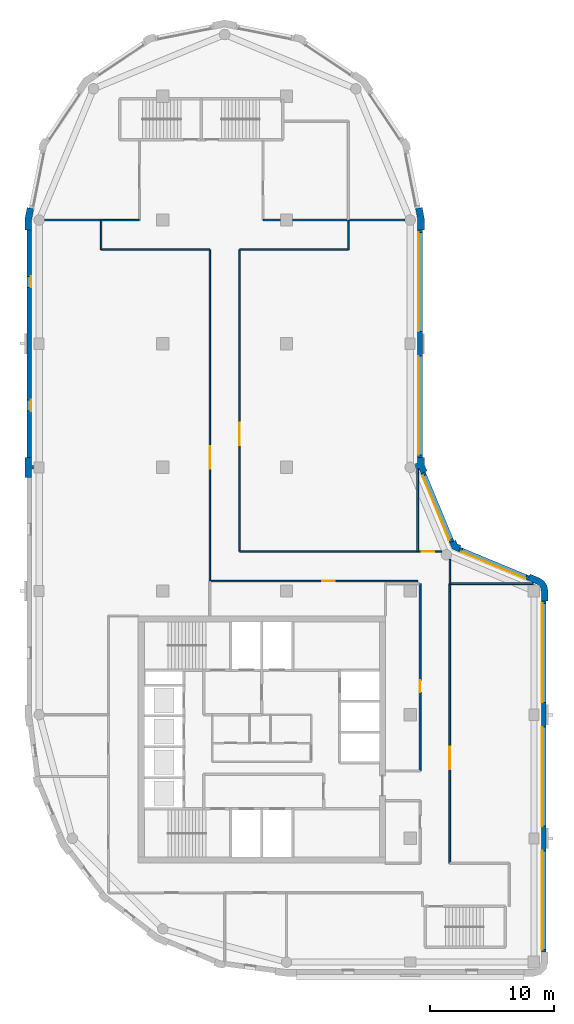
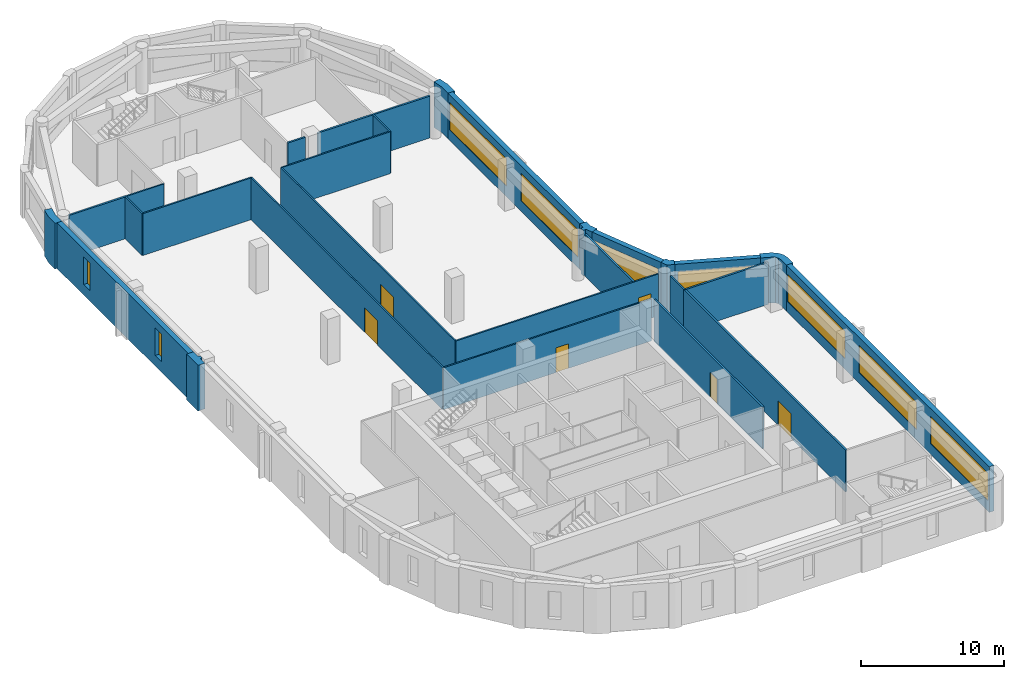
# One storey, part 4 of 8: 28 walls, 9 windows, 6 doors, 15 openings.
"""IFC4 building model written with IfcOpenShell, lengths in metres."""

import ifcopenshell
import ifcopenshell.guid

model = None  # the IFC model being written
_history = None  # IfcOwnerHistory: only IFC2X3 demands one
_inside = {}  # id of a spatial element -> (the spatial element, [elements in it])
_under = {}  # id of a project, library or spatial element -> (it, [spatial elements below it])
_declared = {}  # id of a project -> (the project, [libraries it declares])
_typed = {}  # id of a type object -> (the type object, [elements of that type])
_made_of = {}  # id of a material, layer set ... -> (it, [elements and type objects made of it])


def new_model(schema):
    """Start an empty IFC model of exactly this schema.

    Asked for "IFC4X3", IfcOpenShell would pick the latest addendum, in which some entities
    have other attributes; the version numbers below select the first issue.
    IFC2X3 requires an IfcOwnerHistory on every rooted entity: one is made here for all.
    """
    global model, _history
    if schema == "IFC4X3":
        model = ifcopenshell.file(schema_version=(4, 3, 0, 0))
    else:
        model = ifcopenshell.file(schema=schema)
    _inside.clear()
    _under.clear()
    _declared.clear()
    _typed.clear()
    _made_of.clear()
    _history = None
    if model.schema == "IFC2X3":
        org = make("IfcOrganization", Name="unknown")
        user = make(
            "IfcPersonAndOrganization",
            ThePerson=make("IfcPerson", FamilyName="unknown"),
            TheOrganization=org,
        )
        app = make(
            "IfcApplication",
            ApplicationDeveloper=org,
            Version="unknown",
            ApplicationFullName="unknown",
            ApplicationIdentifier="unknown",
        )
        _history = make(
            "IfcOwnerHistory",
            OwningUser=user,
            OwningApplication=app,
            ChangeAction="ADDED",
            CreationDate=0,
        )
    return model


def make(cls, **values):
    """One entity of the class cls with the attributes given. An attribute that is None is left unset."""
    return model.create_entity(
        cls, **{name: value for name, value in values.items() if value is not None}
    )


def rooted(cls, **values):
    """An entity with a GlobalId (a new one), such as an element, a storey or a relation."""
    return make(cls, GlobalId=ifcopenshell.guid.new(), OwnerHistory=_history, **values)


def si_unit(unit_type, name, prefix=None):
    """IfcSIUnit, for example si_unit("LENGTHUNIT", "METRE", prefix="MILLI")."""
    return make("IfcSIUnit", UnitType=unit_type, Prefix=prefix, Name=name)


def assignment(units):
    """IfcUnitAssignment: the units of a project."""
    return None if units is None else make("IfcUnitAssignment", Units=units)


def point(xyz):
    """IfcCartesianPoint."""
    return None if xyz is None else make("IfcCartesianPoint", Coordinates=xyz)


def direction(xyz):
    """IfcDirection."""
    return None if xyz is None else make("IfcDirection", DirectionRatios=xyz)


def frame(location, z_axis=None, x_axis=None):
    """IfcAxis2Placement3D, a coordinate frame: its origin and axes. An axis left out is left unset."""
    return make(
        "IfcAxis2Placement3D",
        Location=point(location),
        Axis=direction(z_axis),
        RefDirection=direction(x_axis),
    )


def frame_2d(location, x_axis=None):
    """IfcAxis2Placement2D, a coordinate frame in the plane: its origin and x axis."""
    return make(
        "IfcAxis2Placement2D", Location=point(location), RefDirection=direction(x_axis)
    )


def origin():
    """The frame at (0, 0, 0) with its axes left unset."""
    return frame((0.0, 0.0, 0.0))


def place(relative_to, where):
    """IfcLocalPlacement: puts the frame where relative to a parent placement (None: the world)."""
    return make(
        "IfcLocalPlacement", PlacementRelTo=relative_to, RelativePlacement=where
    )


def context(
    kind, dimensions, precision=None, world=None, true_north=None, identifier=None
):
    """IfcGeometricRepresentationContext, for example the 3D "Model" context."""
    return make(
        "IfcGeometricRepresentationContext",
        ContextIdentifier=identifier,
        ContextType=kind,
        CoordinateSpaceDimension=dimensions,
        Precision=precision,
        WorldCoordinateSystem=world,
        TrueNorth=true_north,
    )


def subcontext(parent, identifier, kind, view, scale=None):
    """IfcGeometricRepresentationSubContext, for example "Body" below "Model"."""
    return make(
        "IfcGeometricRepresentationSubContext",
        ContextIdentifier=identifier,
        ContextType=kind,
        ParentContext=parent,
        TargetScale=scale,
        TargetView=view,
    )


def project(units=None, contexts=None):
    """IfcProject with its units and contexts."""
    return rooted(
        "IfcProject",
        Name="project",
        RepresentationContexts=contexts,
        UnitsInContext=assignment(units),
    )


def spatial(cls, under=None, at=None, **own):
    """A site, building, storey or space (cls), placed at a placement, below another one or the project."""
    s = rooted(cls, ObjectPlacement=at, **own)
    if under is not None:
        _under.setdefault(under.id(), (under, []))[1].append(s)
    return s


def polyline(points):
    """IfcPolyline through the points."""
    return make("IfcPolyline", Points=[point(p) for p in points])


def profile(cls, at=None, kind="AREA", **sizes):
    """A parametric profile (cls). Its sizes go by their IFC names, for example OverallWidth=200.0."""
    return make(cls, ProfileType=kind, Position=at, **sizes)


def rectangle(**sizes):
    """IfcRectangleProfileDef."""
    return profile("IfcRectangleProfileDef", **sizes)


def outline(outer, holes=None, kind="AREA"):
    """IfcArbitraryClosedProfileDef: a profile drawn as a closed curve; with holes, ...WithVoids."""
    if holes is None:
        return make("IfcArbitraryClosedProfileDef", ProfileType=kind, OuterCurve=outer)
    return make(
        "IfcArbitraryProfileDefWithVoids",
        ProfileType=kind,
        OuterCurve=outer,
        InnerCurves=holes,
    )


def extrude(swept, where, along, depth):
    """IfcExtrudedAreaSolid: the profile swept, set in the frame where, extruded along a direction by depth."""
    return make(
        "IfcExtrudedAreaSolid",
        SweptArea=swept,
        Position=where,
        ExtrudedDirection=direction(along),
        Depth=depth,
    )


def shape(context_of_items, identifier, shape_type, items):
    """IfcShapeRepresentation: the items that make up one representation, for example the "Body"."""
    return make(
        "IfcShapeRepresentation",
        ContextOfItems=context_of_items,
        RepresentationIdentifier=identifier,
        RepresentationType=shape_type,
        Items=items,
    )


def material(Name=None, Category=None):
    """IfcMaterial."""
    return make("IfcMaterial", Name=Name, Category=Category)


def layer(
    of_material, thickness, ventilated=None, Name=None, Category=None, Priority=None
):
    """IfcMaterialLayer: one layer of a wall or slab, of a material (None: an air gap)."""
    return make(
        "IfcMaterialLayer",
        Material=of_material,
        LayerThickness=thickness,
        IsVentilated=ventilated,
        Name=Name,
        Category=Category,
        Priority=Priority,
    )


def layer_set(layers, Name=None):
    """IfcMaterialLayerSet."""
    return make("IfcMaterialLayerSet", MaterialLayers=layers, LayerSetName=Name)


def made_of(thing, what):
    """Note that an element or type object is made of a material, layer set ...; save() writes the relation."""
    if what is not None:
        _made_of.setdefault(what.id(), (what, []))[1].append(thing)
    return thing


def type_object(cls, material=None, **own):
    """A type object (cls), such as IfcWallType, which elements share."""
    return made_of(rooted(cls, **own), material)


def element(
    cls,
    number,
    at=None,
    inside=None,
    cuts=None,
    type_object=None,
    material=None,
    context=None,
    identifier="Body",
    shape_type=None,
    held_by="IfcProductDefinitionShape",
    body=None,
    shapes=None,
    **own,
):
    """One element of the class cls, such as IfcWall. Its Tag is "e" and its number.

    at: its placement. inside: the storey or other place that contains it. cuts: it is an
    opening in that element (IfcRelVoidsElement). A single representation is given by context,
    identifier, shape_type and body (its items); several are given by shapes. held_by: the class
    of the entity that holds the representations. save() writes the other relations.
    """
    e = rooted(cls, Tag="e%d" % number, ObjectPlacement=at, **own)
    if body is not None:
        shapes = [shape(context, identifier, shape_type, body)]
    if shapes is not None:
        e.Representation = make(held_by, Representations=shapes)
    if inside is not None:
        _inside.setdefault(inside.id(), (inside, []))[1].append(e)
    if cuts is not None:
        rooted(
            "IfcRelVoidsElement", RelatingBuildingElement=cuts, RelatedOpeningElement=e
        )
    if type_object is not None:
        _typed.setdefault(type_object.id(), (type_object, []))[1].append(e)
    return made_of(e, material)


def fill(opening, filler):
    """IfcRelFillsElement: the door or window that sits in an opening."""
    return rooted(
        "IfcRelFillsElement",
        RelatingOpeningElement=opening,
        RelatedBuildingElement=filler,
    )


def aggregate(whole, parts):
    """IfcRelAggregates: a whole, such as a stair, and the parts it consists of."""
    return rooted("IfcRelAggregates", RelatingObject=whole, RelatedObjects=parts)


def save(model, path):
    """Write the relations noted so far, then the file.

    IfcRelAggregates (storeys below a building ...), IfcRelContainedInSpatialStructure (elements
    in a storey), IfcRelDefinesByType, IfcRelAssociatesMaterial and IfcRelDeclares: one each for
    every whole, place, type object, material and project.
    """
    for whole, parts in _under.values():
        aggregate(whole, parts)
    for where, things in _inside.values():
        rooted(
            "IfcRelContainedInSpatialStructure",
            RelatedElements=things,
            RelatingStructure=where,
        )
    for kind, things in _typed.values():
        rooted("IfcRelDefinesByType", RelatedObjects=things, RelatingType=kind)
    for what, things in _made_of.values():
        rooted("IfcRelAssociatesMaterial", RelatedObjects=things, RelatingMaterial=what)
    for by, libraries in _declared.values():
        rooted("IfcRelDeclares", RelatingContext=by, RelatedDefinitions=libraries)
    model.write(path)


model = new_model("IFC4")

# Units and contexts
model_context = context("Model", 3, precision=1e-05, world=origin(), true_north=direction((0.0, 1.0)))
body_context = subcontext(model_context, "Body", "Model", "MODEL_VIEW")
ifc_project = project(units=[si_unit("LENGTHUNIT", "METRE"), si_unit("AREAUNIT", "SQUARE_METRE"), si_unit("VOLUMEUNIT", "CUBIC_METRE"), si_unit("PLANEANGLEUNIT", "RADIAN"), si_unit("MASSUNIT", "GRAM", prefix="KILO")], contexts=[model_context])

# Site, building, storey
site_placement = place(None, origin())
site = spatial("IfcSite", under=ifc_project, at=site_placement, CompositionType="ELEMENT")
building_placement = place(site_placement, origin())
building = spatial("IfcBuilding", under=site, at=building_placement, Name="Qaws Garden Tower", CompositionType="ELEMENT")
storey_placement = place(building_placement, frame((0.0, 0.0, 282.60009765625)))
storey = spatial("IfcBuildingStorey", under=building, at=storey_placement, Name="L68", CompositionType="ELEMENT", Elevation=282.60009765625)

# Wall
ifc_material_1 = material(Name="Clay facing brick masonry", Category="masonry")
ifc_layer_1 = layer(ifc_material_1, 0.550048828125)
ifc_layer_set_1 = layer_set([ifc_layer_1], Name="Clay facing brick masonry")
wall_type_1 = type_object("IfcWallType", Name="Brick corner pier 550 x 2400", PredefinedType="SOLIDWALL", material=ifc_layer_set_1)
placement = place(storey_placement, origin())
element("IfcWall", 1, at=placement, inside=storey, type_object=wall_type_1, Name="E-L68-pier-05", PredefinedType="SOLIDWALL", context=body_context, shape_type="SweptSolid", body=[
    extrude(outline(polyline([(41.0, 29.199951171875), (41.14990234375, 29.199951171875), (41.14990234375, 30.0), (41.0625, 30.440185546875), (40.813232421875, 30.813232421875), (40.440185546875, 31.0625), (39.700927734375, 31.36865234375), (39.6435546875, 31.22998046875), (39.490478515625, 30.860595703125), (40.2294921875, 30.554443359375), (40.42431640625, 30.42431640625), (40.554443359375, 30.2294921875), (40.60009765625, 30.0), (40.60009765625, 29.199951171875), (41.0, 29.199951171875)])), origin(), (0.0, 0.0, 1.0), 3.89990234375),
])

# Wall, openings, windows
ifc_material_2 = material(Name="Clay facing brick masonry", Category="masonry")
ifc_layer_2 = layer(ifc_material_2, 0.39990234375)
ifc_layer_set_2 = layer_set([ifc_layer_2], Name="Clay facing brick masonry")
wall_type_2 = type_object("IfcWallType", Name="Brick infill wall 400", PredefinedType="SOLIDWALL", material=ifc_layer_set_2)
wall_2_placement = place(storey_placement, frame((40.800048828125, 0.800048828125, 0.0), z_axis=(0.0, 0.0, 1.0), x_axis=(0.0, 1.0, 0.0)))
wall_2 = element("IfcWall", 2, at=wall_2_placement, inside=storey, type_object=wall_type_2, Name="E-L68-infill-02", PredefinedType="SOLIDWALL", context=body_context, shape_type="SweptSolid", body=[
    extrude(rectangle(XDim=28.39990234375, YDim=0.39990234375, at=frame_2d((14.199951171875, 0.0))), origin(), (0.0, 0.0, 1.0), 3.89990234375),
])
opening_1_placement = place(wall_2_placement, frame((0.199951171875, 0.0, 0.89990234375)))
opening_1 = element("IfcOpeningElement", 3, at=opening_1_placement, cuts=wall_2, Name="Opening W01", PredefinedType="OPENING", context=body_context, shape_type="SweptSolid", body=[
    extrude(rectangle(XDim=8.0, YDim=2.35009765625, at=frame_2d((4.0, 1.175048828125))), frame((0.0, 0.2099609375, 0.0), z_axis=(0.0, -1.0, 0.0), x_axis=(1.0, 0.0, 0.0)), (0.0, 0.0, 1.0), 0.419921875),
])
opening_2_placement = place(wall_2_placement, frame((10.199951171875, 0.0, 0.89990234375)))
opening_2 = element("IfcOpeningElement", 4, at=opening_2_placement, cuts=wall_2, Name="Opening W01", PredefinedType="OPENING", context=body_context, shape_type="SweptSolid", body=[
    extrude(rectangle(XDim=8.0, YDim=2.35009765625, at=frame_2d((4.0, 1.175048828125))), frame((0.0, 0.2099609375, 0.0), z_axis=(0.0, -1.0, 0.0), x_axis=(1.0, 0.0, 0.0)), (0.0, 0.0, 1.0), 0.419921875),
])
opening_3_placement = place(wall_2_placement, frame((20.199951171875, 0.0, 0.89990234375)))
opening_3 = element("IfcOpeningElement", 5, at=opening_3_placement, cuts=wall_2, Name="Opening W01", PredefinedType="OPENING", context=body_context, shape_type="SweptSolid", body=[
    extrude(rectangle(XDim=8.0, YDim=2.35009765625, at=frame_2d((4.0, 1.175048828125))), frame((0.0, 0.2099609375, 0.0), z_axis=(0.0, -1.0, 0.0), x_axis=(1.0, 0.0, 0.0)), (0.0, 0.0, 1.0), 0.419921875),
])
ifc_material_3 = material(Name="Aluminium framed window, clear glazing", Category="aluminium")
window_type_1 = type_object("IfcWindowType", Name="Ribbon window 8000 x 2350", PartitioningType="DOUBLE_PANEL_VERTICAL", PredefinedType="WINDOW", material=ifc_material_3)
window_1_placement = place(opening_1_placement, origin())
window_1 = element("IfcWindow", 6, at=window_1_placement, inside=storey, type_object=window_type_1, Name="E-L68-window-02-0", OverallHeight=2.35009765625, OverallWidth=8.0, PartitioningType="SINGLE_PANEL", PredefinedType="WINDOW", context=body_context, shape_type="SweptSolid", body=[
    extrude(rectangle(XDim=8.0, YDim=2.35009765625, at=frame_2d((4.0, 1.175048828125))), frame((0.0, 0.159912109375, 0.0), z_axis=(0.0, -1.0, 0.0), x_axis=(1.0, 0.0, 0.0)), (0.0, 0.0, 1.0), 0.06005859375),
])
fill(opening_1, window_1)
window_2_placement = place(opening_2_placement, origin())
window_2 = element("IfcWindow", 7, at=window_2_placement, inside=storey, type_object=window_type_1, Name="E-L68-window-03-0", OverallHeight=2.35009765625, OverallWidth=8.0, PartitioningType="SINGLE_PANEL", PredefinedType="WINDOW", context=body_context, shape_type="SweptSolid", body=[
    extrude(rectangle(XDim=8.0, YDim=2.35009765625, at=frame_2d((4.0, 1.175048828125))), frame((0.0, 0.159912109375, 0.0), z_axis=(0.0, -1.0, 0.0), x_axis=(1.0, 0.0, 0.0)), (0.0, 0.0, 1.0), 0.06005859375),
])
fill(opening_2, window_2)
window_3_placement = place(opening_3_placement, origin())
window_3 = element("IfcWindow", 8, at=window_3_placement, inside=storey, type_object=window_type_1, Name="E-L68-window-04-0", OverallHeight=2.35009765625, OverallWidth=8.0, PartitioningType="SINGLE_PANEL", PredefinedType="WINDOW", context=body_context, shape_type="SweptSolid", body=[
    extrude(rectangle(XDim=8.0, YDim=2.35009765625, at=frame_2d((4.0, 1.175048828125))), frame((0.0, 0.159912109375, 0.0), z_axis=(0.0, -1.0, 0.0), x_axis=(1.0, 0.0, 0.0)), (0.0, 0.0, 1.0), 0.06005859375),
])
fill(opening_3, window_3)

# Wall, opening, window
wall_3_placement = place(storey_placement, frame((39.56689453125, 31.04541015625, 0.0), z_axis=(0.0, 0.0, 1.0), x_axis=(-0.923891000409, 0.382655745237, 0.0)))
wall_3 = element("IfcWall", 9, at=wall_3_placement, inside=storey, type_object=wall_type_2, Name="E-L68-infill-05", PredefinedType="SOLIDWALL", context=body_context, shape_type="SweptSolid", body=[
    extrude(rectangle(XDim=6.053466796875, YDim=0.39990234375, at=frame_2d((3.02685546875, 0.0))), origin(), (0.0, 0.0, 1.0), 3.89990234375),
])
opening_4_placement = place(wall_3_placement, frame((0.226806640625, 0.0, 0.89990234375)))
opening_4 = element("IfcOpeningElement", 10, at=opening_4_placement, cuts=wall_3, Name="Opening W04", PredefinedType="OPENING", context=body_context, shape_type="SweptSolid", body=[
    extrude(rectangle(XDim=5.60009765625, YDim=2.35009765625, at=frame_2d((2.800048828125, 1.175048828125))), frame((0.0, 0.2099609375, 0.0), z_axis=(0.0, -1.0, 0.0), x_axis=(1.0, 0.0, 0.0)), (0.0, 0.0, 1.0), 0.419921875),
])
ifc_material_4 = material(Name="Aluminium framed window, clear glazing", Category="aluminium")
window_type_2 = type_object("IfcWindowType", Name="Ribbon window 5600 x 2350", PartitioningType="DOUBLE_PANEL_VERTICAL", PredefinedType="WINDOW", material=ifc_material_4)
window_4_placement = place(opening_4_placement, origin())
window_4 = element("IfcWindow", 11, at=window_4_placement, inside=storey, type_object=window_type_2, Name="E-L68-window-05-0", OverallHeight=2.35009765625, OverallWidth=5.60009765625, PartitioningType="SINGLE_PANEL", PredefinedType="WINDOW", context=body_context, shape_type="SweptSolid", body=[
    extrude(rectangle(XDim=5.60009765625, YDim=2.35009765625, at=frame_2d((2.800048828125, 1.175048828125))), frame((0.0, 0.159912109375, 0.0), z_axis=(0.0, -1.0, 0.0), x_axis=(1.0, 0.0, 0.0)), (0.0, 0.0, 1.0), 0.06005859375),
])
fill(opening_4, window_4)

wall_4_placement = place(storey_placement, frame((33.36181640625, 33.97412109375, 0.0), z_axis=(0.0, 0.0, 1.0), x_axis=(-0.382655745237, 0.923891000409, 0.0)))
wall_4 = element("IfcWall", 12, at=wall_4_placement, inside=storey, type_object=wall_type_2, Name="E-L68-infill-06", PredefinedType="SOLIDWALL", context=body_context, shape_type="SweptSolid", body=[
    extrude(rectangle(XDim=6.053466796875, YDim=0.39990234375, at=frame_2d((3.02685546875, 0.0))), origin(), (0.0, 0.0, 1.0), 3.89990234375),
])
opening_5_placement = place(wall_4_placement, frame((0.226806640625, 0.0, 0.89990234375)))
opening_5 = element("IfcOpeningElement", 13, at=opening_5_placement, cuts=wall_4, Name="Opening W04", PredefinedType="OPENING", context=body_context, shape_type="SweptSolid", body=[
    extrude(rectangle(XDim=5.60009765625, YDim=2.35009765625, at=frame_2d((2.800048828125, 1.175048828125))), frame((0.0, 0.2099609375, 0.0), z_axis=(0.0, -1.0, 0.0), x_axis=(1.0, 0.0, 0.0)), (0.0, 0.0, 1.0), 0.419921875),
])
window_5_placement = place(opening_5_placement, origin())
window_5 = element("IfcWindow", 14, at=window_5_placement, inside=storey, type_object=window_type_2, Name="E-L68-window-06-0", OverallHeight=2.35009765625, OverallWidth=5.60009765625, PartitioningType="SINGLE_PANEL", PredefinedType="WINDOW", context=body_context, shape_type="SweptSolid", body=[
    extrude(rectangle(XDim=5.60009765625, YDim=2.35009765625, at=frame_2d((2.800048828125, 1.175048828125))), frame((0.0, 0.159912109375, 0.0), z_axis=(0.0, -1.0, 0.0), x_axis=(1.0, 0.0, 0.0)), (0.0, 0.0, 1.0), 0.06005859375),
])
fill(opening_5, window_5)

# Wall, openings, windows
wall_5_placement = place(storey_placement, frame((30.800048828125, 40.800048828125, 0.0), z_axis=(0.0, 0.0, 1.0), x_axis=(0.0, 1.0, 0.0)))
wall_5 = element("IfcWall", 15, at=wall_5_placement, inside=storey, type_object=wall_type_2, Name="E-L68-infill-07", PredefinedType="SOLIDWALL", context=body_context, shape_type="SweptSolid", body=[
    extrude(rectangle(XDim=18.39990234375, YDim=0.39990234375, at=frame_2d((9.199951171875, 0.0))), origin(), (0.0, 0.0, 1.0), 3.89990234375),
])
opening_6_placement = place(wall_5_placement, frame((0.199951171875, 0.0, 0.89990234375)))
opening_6 = element("IfcOpeningElement", 16, at=opening_6_placement, cuts=wall_5, Name="Opening W01", PredefinedType="OPENING", context=body_context, shape_type="SweptSolid", body=[
    extrude(rectangle(XDim=8.0, YDim=2.35009765625, at=frame_2d((4.0, 1.175048828125))), frame((0.0, 0.2099609375, 0.0), z_axis=(0.0, -1.0, 0.0), x_axis=(1.0, 0.0, 0.0)), (0.0, 0.0, 1.0), 0.419921875),
])
opening_7_placement = place(wall_5_placement, frame((10.199951171875, 0.0, 0.89990234375)))
opening_7 = element("IfcOpeningElement", 17, at=opening_7_placement, cuts=wall_5, Name="Opening W01", PredefinedType="OPENING", context=body_context, shape_type="SweptSolid", body=[
    extrude(rectangle(XDim=8.0, YDim=2.35009765625, at=frame_2d((4.0, 1.175048828125))), frame((0.0, 0.2099609375, 0.0), z_axis=(0.0, -1.0, 0.0), x_axis=(1.0, 0.0, 0.0)), (0.0, 0.0, 1.0), 0.419921875),
])
window_6_placement = place(opening_6_placement, origin())
window_6 = element("IfcWindow", 18, at=window_6_placement, inside=storey, type_object=window_type_1, Name="E-L68-window-07-0", OverallHeight=2.35009765625, OverallWidth=8.0, PartitioningType="SINGLE_PANEL", PredefinedType="WINDOW", context=body_context, shape_type="SweptSolid", body=[
    extrude(rectangle(XDim=8.0, YDim=2.35009765625, at=frame_2d((4.0, 1.175048828125))), frame((0.0, 0.159912109375, 0.0), z_axis=(0.0, -1.0, 0.0), x_axis=(1.0, 0.0, 0.0)), (0.0, 0.0, 1.0), 0.06005859375),
])
fill(opening_6, window_6)
window_7_placement = place(opening_7_placement, origin())
window_7 = element("IfcWindow", 19, at=window_7_placement, inside=storey, type_object=window_type_1, Name="E-L68-window-08-0", OverallHeight=2.35009765625, OverallWidth=8.0, PartitioningType="SINGLE_PANEL", PredefinedType="WINDOW", context=body_context, shape_type="SweptSolid", body=[
    extrude(rectangle(XDim=8.0, YDim=2.35009765625, at=frame_2d((4.0, 1.175048828125))), frame((0.0, 0.159912109375, 0.0), z_axis=(0.0, -1.0, 0.0), x_axis=(1.0, 0.0, 0.0)), (0.0, 0.0, 1.0), 0.06005859375),
])
fill(opening_7, window_7)

wall_6_placement = place(storey_placement, frame((-0.800048828125, 59.199951171875, 0.0), z_axis=(0.0, 0.0, 1.0), x_axis=(0.0, -1.0, 0.0)))
wall_6 = element("IfcWall", 20, at=wall_6_placement, inside=storey, type_object=wall_type_2, Name="E-L68-infill-17", PredefinedType="SOLIDWALL", context=body_context, shape_type="SweptSolid", body=[
    extrude(rectangle(XDim=18.39990234375, YDim=0.39990234375, at=frame_2d((9.199951171875, 0.0))), origin(), (0.0, 0.0, 1.0), 3.89990234375),
])
opening_8_placement = place(wall_6_placement, frame((3.75, 0.0, 0.89990234375)))
opening_8 = element("IfcOpeningElement", 21, at=opening_8_placement, cuts=wall_6, Name="Opening W09", PredefinedType="OPENING", context=body_context, shape_type="SweptSolid", body=[
    extrude(rectangle(XDim=0.89990234375, YDim=2.35009765625, at=frame_2d((0.449951171875, 1.175048828125))), frame((0.0, 0.2099609375, 0.0), z_axis=(0.0, -1.0, 0.0), x_axis=(1.0, 0.0, 0.0)), (0.0, 0.0, 1.0), 0.419921875),
])
opening_9_placement = place(wall_6_placement, frame((13.75, 0.0, 0.89990234375)))
opening_9 = element("IfcOpeningElement", 22, at=opening_9_placement, cuts=wall_6, Name="Opening W09", PredefinedType="OPENING", context=body_context, shape_type="SweptSolid", body=[
    extrude(rectangle(XDim=0.89990234375, YDim=2.35009765625, at=frame_2d((0.449951171875, 1.175048828125))), frame((0.0, 0.2099609375, 0.0), z_axis=(0.0, -1.0, 0.0), x_axis=(1.0, 0.0, 0.0)), (0.0, 0.0, 1.0), 0.419921875),
])
ifc_material_5 = material(Name="Aluminium framed window, clear glazing", Category="aluminium")
window_type_3 = type_object("IfcWindowType", Name="Slit window 900 x 2350", PartitioningType="SINGLE_PANEL", PredefinedType="WINDOW", material=ifc_material_5)
window_8_placement = place(opening_8_placement, origin())
window_8 = element("IfcWindow", 23, at=window_8_placement, inside=storey, type_object=window_type_3, Name="E-L68-window-17-0", OverallHeight=2.35009765625, OverallWidth=0.89990234375, PartitioningType="SINGLE_PANEL", PredefinedType="WINDOW", context=body_context, shape_type="SweptSolid", body=[
    extrude(rectangle(XDim=0.89990234375, YDim=2.35009765625, at=frame_2d((0.449951171875, 1.175048828125))), frame((0.0, 0.159912109375, 0.0), z_axis=(0.0, -1.0, 0.0), x_axis=(1.0, 0.0, 0.0)), (0.0, 0.0, 1.0), 0.06005859375),
])
fill(opening_8, window_8)
window_9_placement = place(opening_9_placement, origin())
window_9 = element("IfcWindow", 24, at=window_9_placement, inside=storey, type_object=window_type_3, Name="E-L68-window-18-0", OverallHeight=2.35009765625, OverallWidth=0.89990234375, PartitioningType="SINGLE_PANEL", PredefinedType="WINDOW", context=body_context, shape_type="SweptSolid", body=[
    extrude(rectangle(XDim=0.89990234375, YDim=2.35009765625, at=frame_2d((0.449951171875, 1.175048828125))), frame((0.0, 0.159912109375, 0.0), z_axis=(0.0, -1.0, 0.0), x_axis=(1.0, 0.0, 0.0)), (0.0, 0.0, 1.0), 0.06005859375),
])
fill(opening_9, window_9)

# Walls
ifc_material_6 = material(Name="Clay facing brick masonry", Category="masonry")
ifc_layer_3 = layer(ifc_material_6, 0.550048828125)
ifc_layer_set_3 = layer_set([ifc_layer_3], Name="Clay facing brick masonry")
wall_type_3 = type_object("IfcWallType", Name="Brick pier 550 x 1600", PredefinedType="SOLIDWALL", material=ifc_layer_set_3)
element("IfcWall", 25, at=placement, inside=storey, type_object=wall_type_3, Name="E-L68-pier-06", PredefinedType="SOLIDWALL", context=body_context, shape_type="SweptSolid", body=[
    extrude(outline(polyline([(34.05078125, 33.546630859375), (34.108154296875, 33.685302734375), (33.80908203125, 33.80908203125), (33.685302734375, 34.108154296875), (33.546630859375, 34.05078125), (33.177001953125, 33.897705078125), (33.38818359375, 33.38818359375), (33.897705078125, 33.177001953125), (34.05078125, 33.546630859375)])), origin(), (0.0, 0.0, 1.0), 3.89990234375),
])
element("IfcWall", 26, at=placement, inside=storey, type_object=wall_type_3, Name="E-L68-pier-07", PredefinedType="SOLIDWALL", context=body_context, shape_type="SweptSolid", body=[
    extrude(outline(polyline([(30.6201171875, 39.995361328125), (30.6201171875, 40.071044921875), (30.860595703125, 39.490478515625), (31.22998046875, 39.6435546875), (31.36865234375, 39.700927734375), (31.14990234375, 40.228759765625), (31.14990234375, 40.800048828125), (31.0, 40.800048828125), (30.60009765625, 40.800048828125), (30.60009765625, 40.29541015625), (30.425048828125, 40.29541015625), (30.425048828125, 39.995361328125), (30.6201171875, 39.995361328125)])), origin(), (0.0, 0.0, 1.0), 3.89990234375),
])
element("IfcWall", 27, at=placement, inside=storey, type_object=wall_type_3, Name="E-L68-pier-09", PredefinedType="SOLIDWALL", context=body_context, shape_type="SweptSolid", body=[
    extrude(outline(polyline([(31.0, 59.199951171875), (31.14990234375, 59.199951171875), (31.14990234375, 60.11328125), (30.971923828125, 61.009033203125), (30.82470703125, 60.979736328125), (30.432373046875, 60.901611328125), (30.60009765625, 60.05908203125), (30.60009765625, 59.199951171875), (31.0, 59.199951171875)])), origin(), (0.0, 0.0, 1.0), 3.89990234375),
])
element("IfcWall", 28, at=placement, inside=storey, type_object=wall_type_3, Name="E-L68-pier-17", PredefinedType="SOLIDWALL", context=body_context, shape_type="SweptSolid", body=[
    extrude(outline(polyline([(-0.82470703125, 60.979736328125), (-0.971923828125, 61.009033203125), (-1.14990234375, 60.11328125), (-1.14990234375, 59.199951171875), (-1.0, 59.199951171875), (-0.60009765625, 59.199951171875), (-0.60009765625, 60.05908203125), (-0.432373046875, 60.901611328125), (-0.82470703125, 60.979736328125)])), origin(), (0.0, 0.0, 1.0), 3.89990234375),
])
element("IfcWall", 29, at=placement, inside=storey, type_object=wall_type_3, Name="E-L68-pier-19", PredefinedType="SOLIDWALL", context=body_context, shape_type="SweptSolid", body=[
    extrude(outline(polyline([(-0.60009765625, 39.199951171875), (-0.60009765625, 39.85009765625), (-0.449951171875, 39.85009765625), (-0.449951171875, 40.14990234375), (-0.60009765625, 40.14990234375), (-0.60009765625, 40.800048828125), (-1.0, 40.800048828125), (-1.14990234375, 40.800048828125), (-1.14990234375, 40.0), (-1.14990234375, 39.199951171875), (-1.0, 39.199951171875), (-0.60009765625, 39.199951171875)])), origin(), (0.0, 0.0, 1.0), 3.89990234375),
])
ifc_material_7 = material(Name="Glass and aluminium framing", Category="aluminium")
ifc_layer_4 = layer(ifc_material_7, 0.1201171875)
ifc_layer_set_4 = layer_set([ifc_layer_4], Name="Glass and aluminium framing")
wall_type_4 = type_object("IfcWallType", Name="GLAZED PARTITION 120 EI 30", PredefinedType="PARTITIONING", material=ifc_layer_set_4)
wall_12_placement = place(storey_placement, frame((5.0, 57.60009765625, 0.0), z_axis=(0.0, 0.0, 1.0), x_axis=(0.0, 1.0, 0.0)))
element("IfcWall", 30, at=wall_12_placement, inside=storey, type_object=wall_type_4, Name="O-L68-wall-027", PredefinedType="PARTITIONING", context=body_context, shape_type="SweptSolid", body=[
    extrude(rectangle(XDim=2.39990234375, YDim=0.1201171875, at=frame_2d((1.199951171875, 0.0))), origin(), (0.0, 0.0, 1.0), 3.579833984375),
])

# Wall, opening, door
wall_13_placement = place(storey_placement, frame((13.800048828125, 30.800048828125, 0.0), z_axis=(0.0, 0.0, 1.0), x_axis=(0.0, 1.0, 0.0)))
wall_13 = element("IfcWall", 31, at=wall_13_placement, inside=storey, type_object=wall_type_4, Name="O-L68-wall-030", PredefinedType="PARTITIONING", context=body_context, shape_type="SweptSolid", body=[
    extrude(rectangle(XDim=26.800048828125, YDim=0.1201171875, at=frame_2d((13.39990234375, 0.0))), origin(), (0.0, 0.0, 1.0), 3.579833984375),
])
opening_10_placement = place(wall_13_placement, frame((9.10009765625, 0.0, 0.0)))
opening_10 = element("IfcOpeningElement", 32, at=opening_10_placement, cuts=wall_13, Name="Opening C4B11", PredefinedType="OPENING", context=body_context, shape_type="SweptSolid", body=[
    extrude(rectangle(XDim=1.800048828125, YDim=2.10009765625, at=frame_2d((0.89990234375, 1.050048828125))), frame((0.0, 0.070068359375, 0.0), z_axis=(0.0, -1.0, 0.0), x_axis=(1.0, 0.0, 0.0)), (0.0, 0.0, 1.0), 0.14013671875),
])
ifc_material_8 = material(Name="Timber door leaf", Category="wood")
door_type_1 = type_object("IfcDoorType", Name="DOUBLE DOOR 1800 X 2100", OperationType="DOUBLE_DOOR_SINGLE_SWING", PredefinedType="DOOR", material=ifc_material_8)
door_1_placement = place(opening_10_placement, origin())
door_1 = element("IfcDoor", 33, at=door_1_placement, inside=storey, type_object=door_type_1, Name="O-L68-door-011", OperationType="DOUBLE_DOOR_SINGLE_SWING", OverallHeight=2.10009765625, OverallWidth=1.800048828125, PredefinedType="DOOR", context=body_context, shape_type="SweptSolid", body=[
    extrude(rectangle(XDim=1.800048828125, YDim=2.10009765625, at=frame_2d((0.89990234375, 1.050048828125))), frame((0.0, 0.02490234375, 0.0), z_axis=(0.0, -1.0, 0.0), x_axis=(1.0, 0.0, 0.0)), (0.0, 0.0, 1.0), 0.050048828125),
])
fill(opening_10, door_1)

wall_14_placement = place(storey_placement, frame((16.199951171875, 33.199951171875, 0.0), z_axis=(0.0, 0.0, 1.0), x_axis=(0.0, 1.0, 0.0)))
wall_14 = element("IfcWall", 34, at=wall_14_placement, inside=storey, type_object=wall_type_4, Name="O-L68-wall-031", PredefinedType="PARTITIONING", context=body_context, shape_type="SweptSolid", body=[
    extrude(rectangle(XDim=24.400146484375, YDim=0.1201171875, at=frame_2d((12.2001953125, 0.0))), origin(), (0.0, 0.0, 1.0), 3.579833984375),
])
opening_11_placement = place(wall_14_placement, frame((8.60009765625, 0.0, 0.0)))
opening_11 = element("IfcOpeningElement", 35, at=opening_11_placement, cuts=wall_14, Name="Opening C4B12", PredefinedType="OPENING", context=body_context, shape_type="SweptSolid", body=[
    extrude(rectangle(XDim=1.800048828125, YDim=2.10009765625, at=frame_2d((0.89990234375, 1.050048828125))), frame((0.0, 0.070068359375, 0.0), z_axis=(0.0, -1.0, 0.0), x_axis=(1.0, 0.0, 0.0)), (0.0, 0.0, 1.0), 0.14013671875),
])
door_2_placement = place(opening_11_placement, frame((1.800048828125, 0.0, 0.0), z_axis=(0.0, 0.0, 1.0), x_axis=(-1.0, 0.0, 0.0)))
door_2 = element("IfcDoor", 36, at=door_2_placement, inside=storey, type_object=door_type_1, Name="O-L68-door-012", OperationType="DOUBLE_DOOR_SINGLE_SWING", OverallHeight=2.10009765625, OverallWidth=1.800048828125, PredefinedType="DOOR", context=body_context, shape_type="SweptSolid", body=[
    extrude(rectangle(XDim=1.800048828125, YDim=2.10009765625, at=frame_2d((0.89990234375, 1.050048828125))), frame((0.0, 0.02490234375, 0.0), z_axis=(0.0, -1.0, 0.0), x_axis=(1.0, 0.0, 0.0)), (0.0, 0.0, 1.0), 0.050048828125),
])
fill(opening_11, door_2)

# Walls
wall_15_placement = place(storey_placement, frame((25.0, 57.60009765625, 0.0), z_axis=(0.0, 0.0, 1.0), x_axis=(0.0, 1.0, 0.0)))
element("IfcWall", 37, at=wall_15_placement, inside=storey, type_object=wall_type_4, Name="O-L68-wall-032", PredefinedType="PARTITIONING", context=body_context, shape_type="SweptSolid", body=[
    extrude(rectangle(XDim=2.39990234375, YDim=0.1201171875, at=frame_2d((1.199951171875, 0.0))), origin(), (0.0, 0.0, 1.0), 3.579833984375),
])
wall_16_placement = place(storey_placement, frame((33.199951171875, 30.60009765625, 0.0), z_axis=(0.0, 0.0, 1.0), x_axis=(0.0, 1.0, 0.0)))
element("IfcWall", 38, at=wall_16_placement, inside=storey, type_object=wall_type_4, Name="O-L68-wall-033", PredefinedType="PARTITIONING", context=body_context, shape_type="SweptSolid", body=[
    extrude(rectangle(XDim=1.9599609375, YDim=0.1201171875, at=frame_2d((0.97998046875, 0.0))), origin(), (0.0, 0.0, 1.0), 3.579833984375),
])

# Wall, opening, door
wall_17_placement = place(storey_placement, frame((13.802001953125, 30.800048828125, 0.0), z_axis=(0.0, 0.0, 1.0), x_axis=(1.0, 0.0, 0.0)))
wall_17 = element("IfcWall", 39, at=wall_17_placement, inside=storey, type_object=wall_type_4, Name="O-L68-wall-036", PredefinedType="PARTITIONING", context=body_context, shape_type="SweptSolid", body=[
    extrude(rectangle(XDim=16.798095703125, YDim=0.1201171875, at=frame_2d((8.39892578125, 0.0))), origin(), (0.0, 0.0, 1.0), 3.579833984375),
])
opening_12_placement = place(wall_17_placement, frame((9.10009765625, 0.0, 0.0)))
opening_12 = element("IfcOpeningElement", 40, at=opening_12_placement, cuts=wall_17, Name="Opening C4B05", PredefinedType="OPENING", context=body_context, shape_type="SweptSolid", body=[
    extrude(rectangle(XDim=1.0, YDim=2.10009765625, at=frame_2d((0.5, 1.050048828125))), frame((0.0, 0.070068359375, 0.0), z_axis=(0.0, -1.0, 0.0), x_axis=(1.0, 0.0, 0.0)), (0.0, 0.0, 1.0), 0.14013671875),
])
ifc_material_9 = material(Name="Timber door leaf", Category="wood")
door_type_2 = type_object("IfcDoorType", Name="TENANCY ENTRANCE DOOR 1000 X 2100", OperationType="SINGLE_SWING_LEFT", PredefinedType="DOOR", material=ifc_material_9)
door_3_placement = place(opening_12_placement, frame((1.0, 0.0, 0.0), z_axis=(0.0, 0.0, 1.0), x_axis=(-1.0, 0.0, 0.0)))
door_3 = element("IfcDoor", 41, at=door_3_placement, inside=storey, type_object=door_type_2, Name="O-L68-door-005", OperationType="SINGLE_SWING_LEFT", OverallHeight=2.10009765625, OverallWidth=1.0, PredefinedType="DOOR", context=body_context, shape_type="SweptSolid", body=[
    extrude(rectangle(XDim=1.0, YDim=2.10009765625, at=frame_2d((0.5, 1.050048828125))), frame((0.0, 0.02490234375, 0.0), z_axis=(0.0, -1.0, 0.0), x_axis=(1.0, 0.0, 0.0)), (0.0, 0.0, 1.0), 0.050048828125),
])
fill(opening_12, door_3)

wall_18_placement = place(storey_placement, frame((16.199951171875, 33.199951171875, 0.0), z_axis=(0.0, 0.0, 1.0), x_axis=(1.0, 0.0, 0.0)))
wall_18 = element("IfcWall", 42, at=wall_18_placement, inside=storey, type_object=wall_type_4, Name="O-L68-wall-037", PredefinedType="PARTITIONING", context=body_context, shape_type="SweptSolid", body=[
    extrude(rectangle(XDim=16.360107421875, YDim=0.1201171875, at=frame_2d((8.18017578125, 0.0))), origin(), (0.0, 0.0, 1.0), 3.579833984375),
])
opening_13_placement = place(wall_18_placement, frame((14.75, 0.0, 0.0)))
opening_13 = element("IfcOpeningElement", 43, at=opening_13_placement, cuts=wall_18, Name="Opening C4B04", PredefinedType="OPENING", context=body_context, shape_type="SweptSolid", body=[
    extrude(rectangle(XDim=1.0, YDim=2.10009765625, at=frame_2d((0.5, 1.050048828125))), frame((0.0, 0.070068359375, 0.0), z_axis=(0.0, -1.0, 0.0), x_axis=(1.0, 0.0, 0.0)), (0.0, 0.0, 1.0), 0.14013671875),
])
door_4_placement = place(opening_13_placement, origin())
door_4 = element("IfcDoor", 44, at=door_4_placement, inside=storey, type_object=door_type_2, Name="O-L68-door-004", OperationType="SINGLE_SWING_LEFT", OverallHeight=2.10009765625, OverallWidth=1.0, PredefinedType="DOOR", context=body_context, shape_type="SweptSolid", body=[
    extrude(rectangle(XDim=1.0, YDim=2.10009765625, at=frame_2d((0.5, 1.050048828125))), frame((0.0, 0.02490234375, 0.0), z_axis=(0.0, -1.0, 0.0), x_axis=(1.0, 0.0, 0.0)), (0.0, 0.0, 1.0), 0.050048828125),
])
fill(opening_13, door_4)

# Walls
for number, where, z_axis, x_axis, name in (
    (45, (5.0, 57.60009765625, 0.0), (0.0, 0.0, 1.0), (1.0, 0.0, 0.0), "O-L68-wall-038"),
    (46, (16.199951171875, 57.60009765625, 0.0), (0.0, 0.0, 1.0), (1.0, 0.0, 0.0), "O-L68-wall-039"),
):
    element("IfcWall", number, at=place(storey_placement, frame(where, z_axis=z_axis, x_axis=x_axis)), inside=storey, type_object=wall_type_4, Name=name, PredefinedType="PARTITIONING", context=body_context, shape_type="SweptSolid", body=[
        extrude(rectangle(XDim=8.800048828125, YDim=0.1201171875, at=frame_2d((4.39990234375, 0.0))), origin(), (0.0, 0.0, 1.0), 3.579833984375),
    ])
wall_19_placement = place(storey_placement, frame((5.0, 60.0, 0.0), z_axis=(0.0, 0.0, 1.0), x_axis=(1.0, 0.0, 0.0)))
element("IfcWall", 47, at=wall_19_placement, inside=storey, type_object=wall_type_4, Name="O-L68-wall-040", PredefinedType="PARTITIONING", context=body_context, shape_type="SweptSolid", body=[
    extrude(rectangle(XDim=3.10009765625, YDim=0.1201171875, at=frame_2d((1.550048828125, 0.0))), origin(), (0.0, 0.0, 1.0), 3.579833984375),
])
ifc_material_10 = material(Name="Gypsum board partition")
ifc_layer_5 = layer(ifc_material_10, 0.14990234375)
ifc_layer_set_5 = layer_set([ifc_layer_5], Name="Gypsum board partition")
wall_type_5 = type_object("IfcWallType", Name="PARTITION 150 EI 60", PredefinedType="PARTITIONING", material=ifc_layer_set_5)
wall_20_placement = place(storey_placement, frame((30.60009765625, 33.199951171875, 0.0), z_axis=(0.0, 0.0, 1.0), x_axis=(0.0, 1.0, 0.0)))
element("IfcWall", 48, at=wall_20_placement, inside=storey, type_object=wall_type_5, Name="O-L68-wall-008", PredefinedType="PARTITIONING", context=body_context, shape_type="SweptSolid", body=[
    extrude(rectangle(XDim=6.73828125, YDim=0.14990234375, at=frame_2d((3.369140625, 0.0))), origin(), (0.0, 0.0, 1.0), 3.579833984375),
])

# Wall, opening, door
wall_21_placement = place(storey_placement, frame((30.800048828125, 15.449951171875, 0.0), z_axis=(0.0, 0.0, 1.0), x_axis=(0.0, 1.0, 0.0)))
wall_21 = element("IfcWall", 49, at=wall_21_placement, inside=storey, type_object=wall_type_5, Name="O-L68-wall-010", PredefinedType="PARTITIONING", context=body_context, shape_type="SweptSolid", body=[
    extrude(rectangle(XDim=15.150146484375, YDim=0.14990234375, at=frame_2d((7.5751953125, 0.0))), origin(), (0.0, 0.0, 1.0), 3.579833984375),
])
opening_14_placement = place(wall_21_placement, frame((6.35009765625, 0.0, 0.0)))
opening_14 = element("IfcOpeningElement", 50, at=opening_14_placement, cuts=wall_21, Name="Opening C4B09", PredefinedType="OPENING", context=body_context, shape_type="SweptSolid", body=[
    extrude(rectangle(XDim=1.0, YDim=2.10009765625, at=frame_2d((0.5, 1.050048828125))), frame((0.0, 0.0849609375, 0.0), z_axis=(0.0, -1.0, 0.0), x_axis=(1.0, 0.0, 0.0)), (0.0, 0.0, 1.0), 0.169921875),
])
door_5_placement = place(opening_14_placement, origin())
door_5 = element("IfcDoor", 51, at=door_5_placement, inside=storey, type_object=door_type_2, Name="O-L68-door-009", OperationType="SINGLE_SWING_RIGHT", OverallHeight=2.10009765625, OverallWidth=1.0, PredefinedType="DOOR", context=body_context, shape_type="SweptSolid", body=[
    extrude(rectangle(XDim=1.0, YDim=2.10009765625, at=frame_2d((0.5, 1.050048828125))), frame((0.0, 0.02490234375, 0.0), z_axis=(0.0, -1.0, 0.0), x_axis=(1.0, 0.0, 0.0)), (0.0, 0.0, 1.0), 0.050048828125),
])
fill(opening_14, door_5)

wall_22_placement = place(storey_placement, frame((33.199951171875, 8.0, 0.0), z_axis=(0.0, 0.0, 1.0), x_axis=(0.0, 1.0, 0.0)))
wall_22 = element("IfcWall", 52, at=wall_22_placement, inside=storey, type_object=wall_type_5, Name="O-L68-wall-012", PredefinedType="PARTITIONING", context=body_context, shape_type="SweptSolid", body=[
    extrude(rectangle(XDim=22.60009765625, YDim=0.14990234375, at=frame_2d((11.300048828125, 0.0))), origin(), (0.0, 0.0, 1.0), 3.579833984375),
])
opening_15_placement = place(wall_22_placement, frame((7.60009765625, 0.0, 0.0)))
opening_15 = element("IfcOpeningElement", 53, at=opening_15_placement, cuts=wall_22, Name="Opening C4B08", PredefinedType="OPENING", context=body_context, shape_type="SweptSolid", body=[
    extrude(rectangle(XDim=1.800048828125, YDim=2.10009765625, at=frame_2d((0.89990234375, 1.050048828125))), frame((0.0, 0.0849609375, 0.0), z_axis=(0.0, -1.0, 0.0), x_axis=(1.0, 0.0, 0.0)), (0.0, 0.0, 1.0), 0.169921875),
])
door_6_placement = place(opening_15_placement, frame((1.800048828125, 0.0, 0.0), z_axis=(0.0, 0.0, 1.0), x_axis=(-1.0, 0.0, 0.0)))
door_6 = element("IfcDoor", 54, at=door_6_placement, inside=storey, type_object=door_type_1, Name="O-L68-door-008", OperationType="DOUBLE_DOOR_SINGLE_SWING", OverallHeight=2.10009765625, OverallWidth=1.800048828125, PredefinedType="DOOR", context=body_context, shape_type="SweptSolid", body=[
    extrude(rectangle(XDim=1.800048828125, YDim=2.10009765625, at=frame_2d((0.89990234375, 1.050048828125))), frame((0.0, 0.02490234375, 0.0), z_axis=(0.0, -1.0, 0.0), x_axis=(1.0, 0.0, 0.0)), (0.0, 0.0, 1.0), 0.050048828125),
])
fill(opening_15, door_6)

# Walls
wall_23_placement = place(storey_placement, frame((33.199951171875, 30.60009765625, 0.0), z_axis=(0.0, 0.0, 1.0), x_axis=(1.0, 0.0, 0.0)))
element("IfcWall", 55, at=wall_23_placement, inside=storey, type_object=wall_type_5, Name="O-L68-wall-022", PredefinedType="PARTITIONING", context=body_context, shape_type="SweptSolid", body=[
    extrude(rectangle(XDim=6.73828125, YDim=0.14990234375, at=frame_2d((3.369140625, 0.0))), origin(), (0.0, 0.0, 1.0), 3.579833984375),
])
wall_24_placement = place(storey_placement, frame((0.425048828125, 60.0, 0.0), z_axis=(0.0, 0.0, 1.0), x_axis=(1.0, 0.0, 0.0)))
element("IfcWall", 56, at=wall_24_placement, inside=storey, type_object=wall_type_5, Name="O-L68-wall-023", PredefinedType="PARTITIONING", context=body_context, shape_type="SweptSolid", body=[
    extrude(rectangle(XDim=4.574951171875, YDim=0.14990234375, at=frame_2d((2.28759765625, 0.0))), origin(), (0.0, 0.0, 1.0), 3.579833984375),
])
wall_25_placement = place(storey_placement, frame((18.10009765625, 60.0, 0.0), z_axis=(0.0, 0.0, 1.0), x_axis=(1.0, 0.0, 0.0)))
element("IfcWall", 57, at=wall_25_placement, inside=storey, type_object=wall_type_5, Name="O-L68-wall-024", PredefinedType="PARTITIONING", context=body_context, shape_type="SweptSolid", body=[
    extrude(rectangle(XDim=1.39990234375, YDim=0.14990234375, at=frame_2d((0.699951171875, 0.0))), origin(), (0.0, 0.0, 1.0), 3.579833984375),
])
wall_26_placement = place(storey_placement, frame((20.5, 60.0, 0.0), z_axis=(0.0, 0.0, 1.0), x_axis=(1.0, 0.0, 0.0)))
element("IfcWall", 58, at=wall_26_placement, inside=storey, type_object=wall_type_5, Name="O-L68-wall-025", PredefinedType="PARTITIONING", context=body_context, shape_type="SweptSolid", body=[
    extrude(rectangle(XDim=9.074951171875, YDim=0.14990234375, at=frame_2d((4.53759765625, 0.0))), origin(), (0.0, 0.0, 1.0), 3.579833984375),
])

save(model, "model.ifc")
